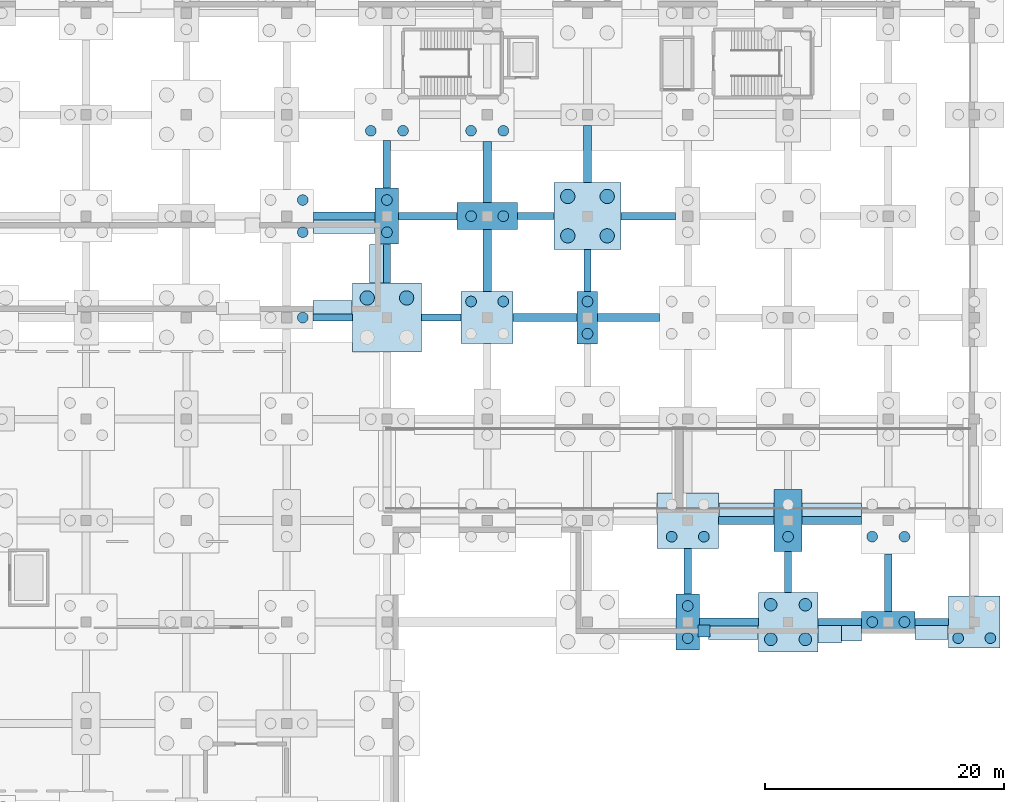
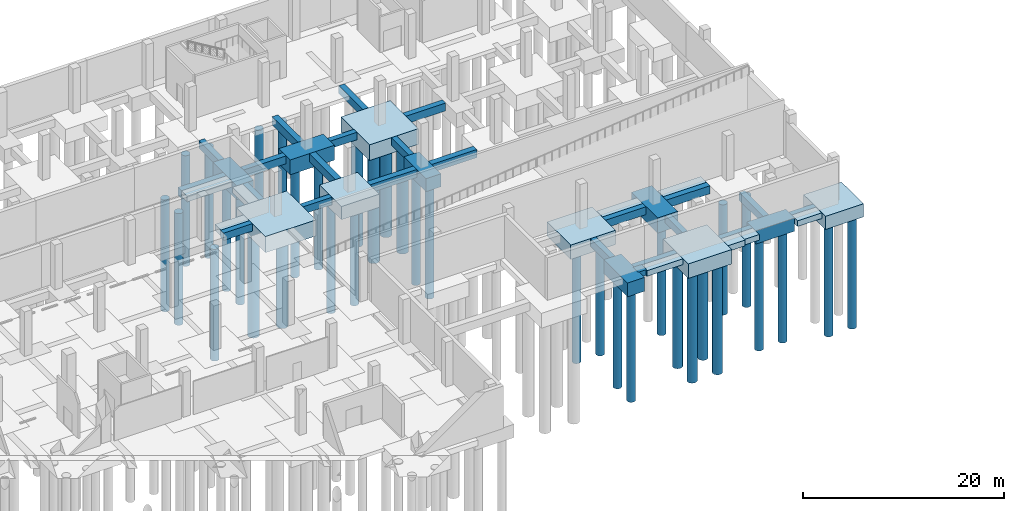
# One storey, part 18 of 34: 44 footings, 36 piles.
"""IFC4 building model written with IfcOpenShell, lengths in metres."""

from ifc_helpers import new_model, si_unit, direction, frame, origin, origin_2d, place, context, subcontext, project, spatial, rectangle, circle, extrude, material, material_profile, profile_set, type_object, element, save


model = new_model("IFC4")

# Units and contexts
model_context = context("Model", 3, precision=1e-05, world=origin(), true_north=direction((0.0, 1.0)))
body_context = subcontext(model_context, "Body", "Model", "MODEL_VIEW")
ifc_project = project(units=[si_unit("LENGTHUNIT", "METRE"), si_unit("AREAUNIT", "SQUARE_METRE"), si_unit("VOLUMEUNIT", "CUBIC_METRE"), si_unit("PLANEANGLEUNIT", "RADIAN"), si_unit("MASSUNIT", "GRAM", prefix="KILO")], contexts=[model_context])

# Site, building, storey
site_placement = place(None, origin())
site = spatial("IfcSite", under=ifc_project, at=site_placement, CompositionType="ELEMENT")
building_placement = place(site_placement, origin())
building = spatial("IfcBuilding", under=site, at=building_placement, Name="Solvento Point Concert Hall", CompositionType="ELEMENT")
storey_placement = place(building_placement, frame((0.0, 0.0, -5.39990234375)))
storey = spatial("IfcBuildingStorey", under=building, at=storey_placement, Name="B01", CompositionType="ELEMENT", Elevation=-5.39990234375)

# Piles
ifc_material_1 = material(Name="Concrete C40/50", Category="concrete")
ifc_material_profile_1 = material_profile(ifc_material_1, circle(Radius=0.52490234375, at=origin_2d()), Name="BP-1050")
ifc_profile_set_1 = profile_set([ifc_material_profile_1], Name="Concrete C40/50")
pile_type_1 = type_object("IfcPileType", Name="BoredPile_1050", PredefinedType="BORED", material=ifc_profile_set_1)
for number, where, z_axis, x_axis, name in (
    (1, (198.949951171875, 83.550048828125, -1.66015625), (0.0, 0.0, -1.0), (1.0, 0.0, 0.0), "Bored pile BoredPile_1050 #739"),
    (2, (201.85009765625, 83.550048828125, -1.66015625), (0.0, 0.0, -1.0), (1.0, 0.0, 0.0), "Bored pile BoredPile_1050 #740"),
    (3, (198.949951171875, 86.449951171875, -1.66015625), (0.0, 0.0, -1.0), (1.0, 0.0, 0.0), "Bored pile BoredPile_1050 #741"),
    (4, (201.85009765625, 86.449951171875, -1.66015625), (0.0, 0.0, -1.0), (1.0, 0.0, 0.0), "Bored pile BoredPile_1050 #742"),
):
    element("IfcPile", number, at=place(storey_placement, frame(where, z_axis=z_axis, x_axis=x_axis)), inside=storey, type_object=pile_type_1, Name=name, PredefinedType="BORED", context=body_context, shape_type="SweptSolid", body=[
        extrude(circle(Radius=0.52490234375, at=origin_2d()), origin(), (0.0, 0.0, 1.0), 13.43994140625),
    ])
ifc_material_2 = material(Name="Concrete C40/50", Category="concrete")
ifc_material_profile_2 = material_profile(ifc_material_2, circle(Radius=0.60009765625, at=origin_2d()), Name="BP-1200")
ifc_profile_set_2 = profile_set([ifc_material_profile_2], Name="Concrete C40/50")
pile_type_2 = type_object("IfcPileType", Name="BoredPile_1200", PredefinedType="BORED", material=ifc_profile_set_2)
for number, where, z_axis, x_axis, name in (
    (5, (165.14990234375, 112.14990234375, -1.85009765625), (0.0, 0.0, -1.0), (1.0, 0.0, 0.0), "Bored pile BoredPile_1200 #621"),
    (6, (168.449951171875, 112.14990234375, -1.85009765625), (0.0, 0.0, -1.0), (1.0, 0.0, 0.0), "Bored pile BoredPile_1200 #622"),
):
    element("IfcPile", number, at=place(storey_placement, frame(where, z_axis=z_axis, x_axis=x_axis)), inside=storey, type_object=pile_type_2, Name=name, PredefinedType="BORED", context=body_context, shape_type="SweptSolid", body=[
        extrude(circle(Radius=0.60009765625, at=origin_2d()), origin(), (0.0, 0.0, 1.0), 13.25),
    ])
for number, where, z_axis, x_axis, name in (
    (7, (181.949951171875, 117.35009765625, -1.800048828125), (0.0, 0.0, -1.0), (1.0, 0.0, 0.0), "Bored pile BoredPile_1200 #685"),
    (8, (185.25, 117.35009765625, -1.800048828125), (0.0, 0.0, -1.0), (1.0, 0.0, 0.0), "Bored pile BoredPile_1200 #686"),
    (9, (181.949951171875, 120.64990234375, -1.800048828125), (0.0, 0.0, -1.0), (1.0, 0.0, 0.0), "Bored pile BoredPile_1200 #687"),
    (10, (185.25, 120.64990234375, -1.800048828125), (0.0, 0.0, -1.0), (1.0, 0.0, 0.0), "Bored pile BoredPile_1200 #688"),
):
    element("IfcPile", number, at=place(storey_placement, frame(where, z_axis=z_axis, x_axis=x_axis)), inside=storey, type_object=pile_type_2, Name=name, PredefinedType="BORED", context=body_context, shape_type="SweptSolid", body=[
        extrude(circle(Radius=0.60009765625, at=origin_2d()), origin(), (0.0, 0.0, 1.0), 13.300048828125),
    ])
ifc_material_3 = material(Name="Concrete C40/50", Category="concrete")
ifc_material_profile_3 = material_profile(ifc_material_3, circle(Radius=0.449951171875, at=origin_2d()), Name="BP-900")
ifc_profile_set_3 = profile_set([ifc_material_profile_3], Name="Concrete C40/50")
pile_type_3 = type_object("IfcPileType", Name="BoredPile_900", PredefinedType="BORED", material=ifc_profile_set_3)
pile_1_placement = place(storey_placement, frame((159.75, 110.5, -1.5400390625), z_axis=(0.0, 0.0, -1.0), x_axis=(1.0, 0.0, 0.0)))
element("IfcPile", 11, at=pile_1_placement, inside=storey, type_object=pile_type_3, Name="Bored pile BoredPile_900 #582", PredefinedType="BORED", context=body_context, shape_type="SweptSolid", body=[
    extrude(circle(Radius=0.449951171875, at=origin_2d()), origin(), (0.0, 0.0, 1.0), 13.56005859375),
])
for number, where, z_axis, x_axis, name in (
    (12, (159.75, 117.64990234375, -1.550048828125), (0.0, 0.0, -1.0), (1.0, 0.0, 0.0), "Bored pile BoredPile_900 #584"),
    (13, (159.75, 120.35009765625, -1.550048828125), (0.0, 0.0, -1.0), (1.0, 0.0, 0.0), "Bored pile BoredPile_900 #586"),
):
    element("IfcPile", number, at=place(storey_placement, frame(where, z_axis=z_axis, x_axis=x_axis)), inside=storey, type_object=pile_type_3, Name=name, PredefinedType="BORED", context=body_context, shape_type="SweptSolid", body=[
        extrude(circle(Radius=0.449951171875, at=origin_2d()), origin(), (0.0, 0.0, 1.0), 13.550048828125),
    ])
for number, where, z_axis, x_axis, name in (
    (14, (166.800048828125, 117.64990234375, -1.580078125), (0.0, 0.0, -1.0), (1.0, 0.0, 0.0), "Bored pile BoredPile_900 #623"),
    (15, (166.800048828125, 120.35009765625, -1.580078125), (0.0, 0.0, -1.0), (1.0, 0.0, 0.0), "Bored pile BoredPile_900 #624"),
):
    element("IfcPile", number, at=place(storey_placement, frame(where, z_axis=z_axis, x_axis=x_axis)), inside=storey, type_object=pile_type_3, Name=name, PredefinedType="BORED", context=body_context, shape_type="SweptSolid", body=[
        extrude(circle(Radius=0.449951171875, at=origin_2d()), origin(), (0.0, 0.0, 1.0), 13.52001953125),
    ])
for number, where, z_axis, x_axis, name in (
    (16, (165.449951171875, 126.14990234375, -1.68017578125), (0.0, 0.0, -1.0), (1.0, 0.0, 0.0), "Bored pile BoredPile_900 #625"),
    (17, (168.14990234375, 126.14990234375, -1.68017578125), (0.0, 0.0, -1.0), (1.0, 0.0, 0.0), "Bored pile BoredPile_900 #626"),
):
    element("IfcPile", number, at=place(storey_placement, frame(where, z_axis=z_axis, x_axis=x_axis)), inside=storey, type_object=pile_type_3, Name=name, PredefinedType="BORED", context=body_context, shape_type="SweptSolid", body=[
        extrude(circle(Radius=0.449951171875, at=origin_2d()), origin(), (0.0, 0.0, 1.0), 13.419921875),
    ])
for number, where, z_axis, x_axis, name in (
    (18, (173.85009765625, 111.85009765625, -1.5), (0.0, 0.0, -1.0), (1.0, 0.0, 0.0), "Bored pile BoredPile_900 #651"),
    (19, (176.550048828125, 111.85009765625, -1.5), (0.0, 0.0, -1.0), (1.0, 0.0, 0.0), "Bored pile BoredPile_900 #652"),
):
    element("IfcPile", number, at=place(storey_placement, frame(where, z_axis=z_axis, x_axis=x_axis)), inside=storey, type_object=pile_type_3, Name=name, PredefinedType="BORED", context=body_context, shape_type="SweptSolid", body=[
        extrude(circle(Radius=0.449951171875, at=origin_2d()), origin(), (0.0, 0.0, 1.0), 13.60009765625),
    ])
for number, where, z_axis, x_axis, name in (
    (20, (173.85009765625, 119.0, -1.7001953125), (0.0, 0.0, -1.0), (1.0, 0.0, 0.0), "Bored pile BoredPile_900 #653"),
    (21, (176.550048828125, 119.0, -1.7001953125), (0.0, 0.0, -1.0), (1.0, 0.0, 0.0), "Bored pile BoredPile_900 #654"),
):
    element("IfcPile", number, at=place(storey_placement, frame(where, z_axis=z_axis, x_axis=x_axis)), inside=storey, type_object=pile_type_3, Name=name, PredefinedType="BORED", context=body_context, shape_type="SweptSolid", body=[
        extrude(circle(Radius=0.449951171875, at=origin_2d()), origin(), (0.0, 0.0, 1.0), 13.39990234375),
    ])
for number, where, z_axis, x_axis, name in (
    (22, (173.85009765625, 126.14990234375, -1.550048828125), (0.0, 0.0, -1.0), (1.0, 0.0, 0.0), "Bored pile BoredPile_900 #655"),
    (23, (176.550048828125, 126.14990234375, -1.550048828125), (0.0, 0.0, -1.0), (1.0, 0.0, 0.0), "Bored pile BoredPile_900 #656"),
):
    element("IfcPile", number, at=place(storey_placement, frame(where, z_axis=z_axis, x_axis=x_axis)), inside=storey, type_object=pile_type_3, Name=name, PredefinedType="BORED", context=body_context, shape_type="SweptSolid", body=[
        extrude(circle(Radius=0.449951171875, at=origin_2d()), origin(), (0.0, 0.0, 1.0), 13.550048828125),
    ])
for number, where, z_axis, x_axis, name in (
    (24, (183.60009765625, 109.14990234375, -1.47998046875), (0.0, 0.0, -1.0), (1.0, 0.0, 0.0), "Bored pile BoredPile_900 #683"),
    (25, (183.60009765625, 111.85009765625, -1.47998046875), (0.0, 0.0, -1.0), (1.0, 0.0, 0.0), "Bored pile BoredPile_900 #684"),
):
    element("IfcPile", number, at=place(storey_placement, frame(where, z_axis=z_axis, x_axis=x_axis)), inside=storey, type_object=pile_type_3, Name=name, PredefinedType="BORED", context=body_context, shape_type="SweptSolid", body=[
        extrude(circle(Radius=0.449951171875, at=origin_2d()), origin(), (0.0, 0.0, 1.0), 13.6201171875),
    ])
for number, where, z_axis, x_axis, name in (
    (26, (192.0, 83.64990234375, -1.580078125), (0.0, 0.0, -1.0), (1.0, 0.0, 0.0), "Bored pile BoredPile_900 #707"),
    (27, (192.0, 86.35009765625, -1.580078125), (0.0, 0.0, -1.0), (1.0, 0.0, 0.0), "Bored pile BoredPile_900 #708"),
):
    element("IfcPile", number, at=place(storey_placement, frame(where, z_axis=z_axis, x_axis=x_axis)), inside=storey, type_object=pile_type_3, Name=name, PredefinedType="BORED", context=body_context, shape_type="SweptSolid", body=[
        extrude(circle(Radius=0.449951171875, at=origin_2d()), origin(), (0.0, 0.0, 1.0), 13.52001953125),
    ])
for number, where, z_axis, x_axis, name in (
    (28, (190.64990234375, 92.14990234375, -1.64013671875), (0.0, 0.0, -1.0), (1.0, 0.0, 0.0), "Bored pile BoredPile_900 #709"),
    (29, (193.35009765625, 92.14990234375, -1.64013671875), (0.0, 0.0, -1.0), (1.0, 0.0, 0.0), "Bored pile BoredPile_900 #710"),
):
    element("IfcPile", number, at=place(storey_placement, frame(where, z_axis=z_axis, x_axis=x_axis)), inside=storey, type_object=pile_type_3, Name=name, PredefinedType="BORED", context=body_context, shape_type="SweptSolid", body=[
        extrude(circle(Radius=0.449951171875, at=origin_2d()), origin(), (0.0, 0.0, 1.0), 13.4599609375),
    ])
pile_2_placement = place(storey_placement, frame((200.39990234375, 92.14990234375, -1.739990234375), z_axis=(0.0, 0.0, -1.0), x_axis=(1.0, 0.0, 0.0)))
element("IfcPile", 30, at=pile_2_placement, inside=storey, type_object=pile_type_3, Name="Bored pile BoredPile_900 #743", PredefinedType="BORED", context=body_context, shape_type="SweptSolid", body=[
    extrude(circle(Radius=0.449951171875, at=origin_2d()), origin(), (0.0, 0.0, 1.0), 13.360107421875),
])
for number, where, z_axis, x_axis, name in (
    (31, (207.449951171875, 85.0, -1.5), (0.0, 0.0, -1.0), (1.0, 0.0, 0.0), "Bored pile BoredPile_900 #773"),
    (32, (210.14990234375, 85.0, -1.5), (0.0, 0.0, -1.0), (1.0, 0.0, 0.0), "Bored pile BoredPile_900 #774"),
):
    element("IfcPile", number, at=place(storey_placement, frame(where, z_axis=z_axis, x_axis=x_axis)), inside=storey, type_object=pile_type_3, Name=name, PredefinedType="BORED", context=body_context, shape_type="SweptSolid", body=[
        extrude(circle(Radius=0.449951171875, at=origin_2d()), origin(), (0.0, 0.0, 1.0), 13.60009765625),
    ])
for number, where, z_axis, x_axis, name in (
    (33, (207.449951171875, 92.14990234375, -1.72021484375), (0.0, 0.0, -1.0), (1.0, 0.0, 0.0), "Bored pile BoredPile_900 #775"),
    (34, (210.14990234375, 92.14990234375, -1.72021484375), (0.0, 0.0, -1.0), (1.0, 0.0, 0.0), "Bored pile BoredPile_900 #776"),
):
    element("IfcPile", number, at=place(storey_placement, frame(where, z_axis=z_axis, x_axis=x_axis)), inside=storey, type_object=pile_type_3, Name=name, PredefinedType="BORED", context=body_context, shape_type="SweptSolid", body=[
        extrude(circle(Radius=0.449951171875, at=origin_2d()), origin(), (0.0, 0.0, 1.0), 13.3798828125),
    ])
for number, where, z_axis, x_axis, name in (
    (35, (214.64990234375, 83.64990234375, -1.5), (0.0, 0.0, -1.0), (1.0, 0.0, 0.0), "Bored pile BoredPile_900 #793"),
    (36, (217.35009765625, 83.64990234375, -1.5), (0.0, 0.0, -1.0), (1.0, 0.0, 0.0), "Bored pile BoredPile_900 #794"),
):
    element("IfcPile", number, at=place(storey_placement, frame(where, z_axis=z_axis, x_axis=x_axis)), inside=storey, type_object=pile_type_3, Name=name, PredefinedType="BORED", context=body_context, shape_type="SweptSolid", body=[
        extrude(circle(Radius=0.449951171875, at=origin_2d()), origin(), (0.0, 0.0, 1.0), 13.60009765625),
    ])

# Footings
ifc_material_4 = material(Name="Concrete C40/50", Category="concrete")
footing_type_1 = type_object("IfcFootingType", Name="PileCap_2B", PredefinedType="PILE_CAP", material=ifc_material_4)
footing_1_placement = place(storey_placement, frame((183.60009765625, 110.5, -1.580078125), z_axis=(0.0, 0.0, 1.0), x_axis=(1.0, 0.0, 0.0)))
element("IfcFooting", 37, at=footing_1_placement, inside=storey, type_object=footing_type_1, Name="Pile cap PC-2B at G-23-P", PredefinedType="PILE_CAP", context=body_context, shape_type="SweptSolid", body=[
    extrude(rectangle(XDim=1.719970703125, YDim=4.3798828125, at=origin_2d()), origin(), (0.0, 0.0, 1.0), 1.580078125),
])
ifc_material_5 = material(Name="Concrete C40/50", Category="concrete")
footing_type_2 = type_object("IfcFootingType", Name="PileCap_2C", PredefinedType="PILE_CAP", material=ifc_material_5)
footing_2_placement = place(storey_placement, frame((208.800048828125, 85.0, -1.60009765625), z_axis=(0.0, 0.0, 1.0), x_axis=(1.0, 0.0, 0.0)))
element("IfcFooting", 38, at=footing_2_placement, inside=storey, type_object=footing_type_2, Name="Pile cap PC-2C at G-26-L", PredefinedType="PILE_CAP", context=body_context, shape_type="SweptSolid", body=[
    extrude(rectangle(XDim=4.4599609375, YDim=1.780029296875, at=origin_2d()), origin(), (0.0, 0.0, 1.0), 1.60009765625),
])
ifc_material_6 = material(Name="Concrete C40/50", Category="concrete")
footing_type_3 = type_object("IfcFootingType", Name="PileCap_2F", PredefinedType="PILE_CAP", material=ifc_material_6)
for number, where, z_axis, x_axis, name in (
    (39, (166.800048828125, 119.0, -1.68017578125), (0.0, 0.0, 1.0), (1.0, 0.0, 0.0), "Pile cap PC-2F at G-21-Q"),
    (40, (192.0, 85.0, -1.68017578125), (0.0, 0.0, 1.0), (1.0, 0.0, 0.0), "Pile cap PC-2F at G-24-L"),
):
    element("IfcFooting", number, at=place(storey_placement, frame(where, z_axis=z_axis, x_axis=x_axis)), inside=storey, type_object=footing_type_3, Name=name, PredefinedType="PILE_CAP", context=body_context, shape_type="SweptSolid", body=[
        extrude(rectangle(XDim=1.9599609375, YDim=4.699951171875, at=origin_2d()), origin(), (0.0, 0.0, 1.0), 1.679931640625),
    ])
ifc_material_7 = material(Name="Concrete C40/50", Category="concrete")
footing_type_4 = type_object("IfcFootingType", Name="PileCap_2L", PredefinedType="PILE_CAP", material=ifc_material_7)
footing_3_placement = place(storey_placement, frame((175.199951171875, 119.0, -1.80029296875), z_axis=(0.0, 0.0, 1.0), x_axis=(1.0, 0.0, 0.0)))
element("IfcFooting", 41, at=footing_3_placement, inside=storey, type_object=footing_type_4, Name="Pile cap PC-2L at G-22-Q", PredefinedType="PILE_CAP", context=body_context, shape_type="SweptSolid", body=[
    extrude(rectangle(XDim=5.10009765625, YDim=2.260009765625, at=origin_2d()), origin(), (0.0, 0.0, 1.0), 1.800048828125),
])
ifc_material_8 = material(Name="Concrete C40/50", Category="concrete")
footing_type_5 = type_object("IfcFootingType", Name="PileCap_2M", PredefinedType="PILE_CAP", material=ifc_material_8)
footing_4_placement = place(storey_placement, frame((200.39990234375, 93.5, -1.84033203125), z_axis=(0.0, 0.0, 1.0), x_axis=(1.0, 0.0, 0.0)))
element("IfcFooting", 42, at=footing_4_placement, inside=storey, type_object=footing_type_5, Name="Pile cap PC-2M at G-25-M", PredefinedType="PILE_CAP", context=body_context, shape_type="SweptSolid", body=[
    extrude(rectangle(XDim=2.320068359375, YDim=5.179931640625, at=origin_2d()), origin(), (0.0, 0.0, 1.0), 1.840087890625),
])
ifc_material_9 = material(Name="Concrete C40/50", Category="concrete")
footing_type_6 = type_object("IfcFootingType", Name="PileCap_4A", PredefinedType="PILE_CAP", material=ifc_material_9)
for number, where, z_axis, x_axis, name in (
    (43, (175.199951171875, 110.5, -1.60009765625), (0.0, 0.0, 1.0), (1.0, 0.0, 0.0), "Pile cap PC-4A at G-22-P"),
    (44, (216.0, 85.0, -1.60009765625), (0.0, 0.0, 1.0), (1.0, 0.0, 0.0), "Pile cap PC-4A at G-27-L"),
):
    element("IfcFooting", number, at=place(storey_placement, frame(where, z_axis=z_axis, x_axis=x_axis)), inside=storey, type_object=footing_type_6, Name=name, PredefinedType="PILE_CAP", context=body_context, shape_type="SweptSolid", body=[
        extrude(rectangle(XDim=4.35009765625, YDim=4.35009765625, at=origin_2d()), origin(), (0.0, 0.0, 1.0), 1.60009765625),
    ])
ifc_material_10 = material(Name="Concrete C40/50", Category="concrete")
footing_type_7 = type_object("IfcFootingType", Name="PileCap_4D", PredefinedType="PILE_CAP", material=ifc_material_10)
footing_5_placement = place(storey_placement, frame((200.39990234375, 85.0, -1.76025390625), z_axis=(0.0, 0.0, 1.0), x_axis=(1.0, 0.0, 0.0)))
element("IfcFooting", 45, at=footing_5_placement, inside=storey, type_object=footing_type_7, Name="Pile cap PC-4D at G-25-L", PredefinedType="PILE_CAP", context=body_context, shape_type="SweptSolid", body=[
    extrude(rectangle(XDim=4.97998046875, YDim=4.97998046875, at=origin_2d()), origin(), (0.0, 0.0, 1.0), 1.760009765625),
])
ifc_material_11 = material(Name="Concrete C40/50", Category="concrete")
footing_type_8 = type_object("IfcFootingType", Name="PileCap_4G", PredefinedType="PILE_CAP", material=ifc_material_11)
footing_6_placement = place(storey_placement, frame((183.60009765625, 119.0, -1.900146484375), z_axis=(0.0, 0.0, 1.0), x_axis=(1.0, 0.0, 0.0)))
element("IfcFooting", 46, at=footing_6_placement, inside=storey, type_object=footing_type_8, Name="Pile cap PC-4G at G-23-Q", PredefinedType="PILE_CAP", context=body_context, shape_type="SweptSolid", body=[
    extrude(rectangle(XDim=5.6201171875, YDim=5.6201171875, at=origin_2d()), origin(), (0.0, 0.0, 1.0), 1.89990234375),
])
ifc_material_12 = material(Name="Concrete C40/50", Category="concrete")
footing_type_9 = type_object("IfcFootingType", Name="PileCap_4H", PredefinedType="PILE_CAP", material=ifc_material_12)
footing_7_placement = place(storey_placement, frame((166.800048828125, 110.5, -1.9501953125), z_axis=(0.0, 0.0, 1.0), x_axis=(1.0, 0.0, 0.0)))
element("IfcFooting", 47, at=footing_7_placement, inside=storey, type_object=footing_type_9, Name="Pile cap PC-4H at G-21-P", PredefinedType="PILE_CAP", context=body_context, shape_type="SweptSolid", body=[
    extrude(rectangle(XDim=5.800048828125, YDim=5.800048828125, at=origin_2d()), origin(), (0.0, 0.0, 1.0), 1.949951171875),
])
ifc_material_13 = material(Name="Concrete C40/50", Category="concrete")
footing_type_10 = type_object("IfcFootingType", Name="PileCap_4L", PredefinedType="PILE_CAP", material=ifc_material_13)
footing_8_placement = place(storey_placement, frame((192.0, 93.5, -1.740234375), z_axis=(0.0, 0.0, 1.0), x_axis=(1.0, 0.0, 0.0)))
element("IfcFooting", 48, at=footing_8_placement, inside=storey, type_object=footing_type_10, Name="Pile cap PC-4L at G-24-M", PredefinedType="PILE_CAP", context=body_context, shape_type="SweptSolid", body=[
    extrude(rectangle(XDim=5.159912109375, YDim=4.659912109375, at=origin_2d()), origin(), (0.0, 0.0, 1.0), 1.739990234375),
])
ifc_material_14 = material(Name="Concrete C40/50", Category="concrete")
footing_type_11 = type_object("IfcFootingType", Name="StripFooting_1400x700", PredefinedType="STRIP_FOOTING", material=ifc_material_14)
footing_9_placement = place(storey_placement, frame((196.909912109375, 94.2900390625, -0.7001953125), z_axis=(0.0, 0.0, 1.0), x_axis=(1.0, 0.0, 0.0)))
element("IfcFooting", 49, at=footing_9_placement, inside=storey, type_object=footing_type_11, Name="Strip footing SF-02", PredefinedType="STRIP_FOOTING", context=body_context, shape_type="SweptSolid", body=[
    extrude(rectangle(XDim=4.6201171875, YDim=1.39990234375, at=origin_2d()), origin(), (0.0, 0.0, 1.0), 0.699951171875),
])
footing_10_placement = place(storey_placement, frame((204.06005859375, 94.2900390625, -0.7001953125), z_axis=(0.0, 0.0, 1.0), x_axis=(1.0, 0.0, 0.0)))
element("IfcFooting", 50, at=footing_10_placement, inside=storey, type_object=footing_type_11, Name="Strip footing SF-02", PredefinedType="STRIP_FOOTING", context=body_context, shape_type="SweptSolid", body=[
    extrude(rectangle(XDim=4.9599609375, YDim=1.39990234375, at=origin_2d()), origin(), (0.0, 0.0, 1.0), 0.699951171875),
])
footing_11_placement = place(storey_placement, frame((162.25, 111.2548828125, -0.7001953125), z_axis=(0.0, 0.0, 1.0), x_axis=(1.0, 0.0, 0.0)))
element("IfcFooting", 51, at=footing_11_placement, inside=storey, type_object=footing_type_11, Name="Strip footing SF-02", PredefinedType="STRIP_FOOTING", context=body_context, shape_type="SweptSolid", body=[
    extrude(rectangle(XDim=3.280029296875, YDim=1.39990234375, at=origin_2d()), origin(), (0.0, 0.0, 1.0), 0.699951171875),
])
footing_12_placement = place(storey_placement, frame((166.044921875, 115.02490234375, -0.7001953125), z_axis=(0.0, 0.0, 1.0), x_axis=(0.0, 1.0, 0.0)))
element("IfcFooting", 52, at=footing_12_placement, inside=storey, type_object=footing_type_11, Name="Strip footing SF-02", PredefinedType="STRIP_FOOTING", context=body_context, shape_type="SweptSolid", body=[
    extrude(rectangle(XDim=3.22998046875, YDim=1.39990234375, at=origin_2d()), origin(), (0.0, 0.0, 1.0), 0.699951171875),
])
footing_13_placement = place(storey_placement, frame((163.235107421875, 118.2451171875, -0.7001953125), z_axis=(0.0, 0.0, 1.0), x_axis=(-1.0, 0.0, 0.0)))
element("IfcFooting", 53, at=footing_13_placement, inside=storey, type_object=footing_type_11, Name="Strip footing SF-02", PredefinedType="STRIP_FOOTING", context=body_context, shape_type="SweptSolid", body=[
    extrude(rectangle(XDim=5.14990234375, YDim=1.39990234375, at=origin_2d()), origin(), (0.0, 0.0, 1.0), 0.699951171875),
])
footing_14_placement = place(storey_placement, frame((212.427490234375, 84.2451171875, -0.7001953125), z_axis=(0.0, 0.0, 1.0), x_axis=(-1.0, 0.0, 0.0)))
element("IfcFooting", 54, at=footing_14_placement, inside=storey, type_object=footing_type_11, Name="Strip footing SF-02", PredefinedType="STRIP_FOOTING", context=body_context, shape_type="SweptSolid", body=[
    extrude(rectangle(XDim=2.77490234375, YDim=1.39990234375, at=origin_2d()), origin(), (0.0, 0.0, 1.0), 0.699951171875),
])
footing_15_placement = place(storey_placement, frame((205.716796875, 84.2451171875, -0.7001953125), z_axis=(0.0, 0.0, 1.0), x_axis=(-1.0, 0.0, 0.0)))
element("IfcFooting", 55, at=footing_15_placement, inside=storey, type_object=footing_type_11, Name="Strip footing SF-02", PredefinedType="STRIP_FOOTING", context=body_context, shape_type="SweptSolid", body=[
    extrude(rectangle(XDim=1.686767578125, YDim=1.686767578125, at=origin_2d()), origin(), (0.0, 0.0, 1.0), 0.699951171875),
])
footing_16_placement = place(storey_placement, frame((203.881591796875, 84.2451171875, -0.7001953125), z_axis=(0.0, 0.0, 1.0), x_axis=(-1.0, 0.0, 0.0)))
element("IfcFooting", 56, at=footing_16_placement, inside=storey, type_object=footing_type_11, Name="Strip footing SF-02", PredefinedType="STRIP_FOOTING", context=body_context, shape_type="SweptSolid", body=[
    extrude(rectangle(XDim=1.96337890625, YDim=1.96337890625, at=origin_2d()), origin(), (0.0, 0.0, 1.0), 0.699951171875),
])
footing_17_placement = place(storey_placement, frame((195.823486328125, 84.2451171875, -0.7001953125), z_axis=(0.0, 0.0, 1.0), x_axis=(-1.0, 0.0, 0.0)))
element("IfcFooting", 57, at=footing_17_placement, inside=storey, type_object=footing_type_11, Name="Strip footing SF-02", PredefinedType="STRIP_FOOTING", context=body_context, shape_type="SweptSolid", body=[
    extrude(rectangle(XDim=4.1533203125, YDim=1.39990234375, at=origin_2d()), origin(), (0.0, 0.0, 1.0), 0.699951171875),
])
footing_18_placement = place(storey_placement, frame((193.36328125, 84.2451171875, -0.7001953125), z_axis=(0.0, 0.0, 1.0), x_axis=(-1.0, 0.0, 0.0)))
element("IfcFooting", 58, at=footing_18_placement, inside=storey, type_object=footing_type_11, Name="Strip footing SF-02", PredefinedType="STRIP_FOOTING", context=body_context, shape_type="SweptSolid", body=[
    extrude(rectangle(XDim=1.0, YDim=1.0, at=origin_2d()), origin(), (0.0, 0.0, 1.0), 0.699951171875),
])
ifc_material_15 = material(Name="Concrete C40/50", Category="concrete")
footing_type_12 = type_object("IfcFootingType", Name="TieBeam_600x900", PredefinedType="FOOTING_BEAM", material=ifc_material_15)
footing_19_placement = place(storey_placement, frame((212.427490234375, 85.0, -0.900146484375), z_axis=(0.0, 0.0, 1.0), x_axis=(1.0, 0.0, 0.0)))
element("IfcFooting", 59, at=footing_19_placement, inside=storey, type_object=footing_type_12, Name="Seismic tie beam GB-01", PredefinedType="FOOTING_BEAM", context=body_context, shape_type="SweptSolid", body=[
    extrude(rectangle(XDim=2.794921875, YDim=0.60009765625, at=origin_2d()), origin(), (0.0, 0.0, 1.0), 0.89990234375),
])
footing_20_placement = place(storey_placement, frame((162.25, 110.5, -0.900146484375), z_axis=(0.0, 0.0, 1.0), x_axis=(1.0, 0.0, 0.0)))
element("IfcFooting", 60, at=footing_20_placement, inside=storey, type_object=footing_type_12, Name="Seismic tie beam GB-01", PredefinedType="FOOTING_BEAM", context=body_context, shape_type="SweptSolid", body=[
    extrude(rectangle(XDim=3.300048828125, YDim=0.60009765625, at=origin_2d()), origin(), (0.0, 0.0, 1.0), 0.89990234375),
])
footing_21_placement = place(storey_placement, frame((171.362548828125, 110.5, -0.900146484375), z_axis=(0.0, 0.0, 1.0), x_axis=(1.0, 0.0, 0.0)))
element("IfcFooting", 61, at=footing_21_placement, inside=storey, type_object=footing_type_12, Name="Seismic tie beam GB-01", PredefinedType="FOOTING_BEAM", context=body_context, shape_type="SweptSolid", body=[
    extrude(rectangle(XDim=3.324951171875, YDim=0.60009765625, at=origin_2d()), origin(), (0.0, 0.0, 1.0), 0.89990234375),
])
footing_22_placement = place(storey_placement, frame((179.27001953125, 119.0, -0.900146484375), z_axis=(0.0, 0.0, 1.0), x_axis=(1.0, 0.0, 0.0)))
element("IfcFooting", 62, at=footing_22_placement, inside=storey, type_object=footing_type_12, Name="Seismic tie beam GB-01", PredefinedType="FOOTING_BEAM", context=body_context, shape_type="SweptSolid", body=[
    extrude(rectangle(XDim=3.0400390625, YDim=0.60009765625, at=origin_2d()), origin(), (0.0, 0.0, 1.0), 0.89990234375),
])
footing_23_placement = place(storey_placement, frame((166.800048828125, 115.02490234375, -0.900146484375), z_axis=(0.0, 0.0, 1.0), x_axis=(0.0, 1.0, 0.0)))
element("IfcFooting", 63, at=footing_23_placement, inside=storey, type_object=footing_type_12, Name="Seismic tie beam GB-01", PredefinedType="FOOTING_BEAM", context=body_context, shape_type="SweptSolid", body=[
    extrude(rectangle(XDim=3.25, YDim=0.60009765625, at=origin_2d()), origin(), (0.0, 0.0, 1.0), 0.89990234375),
])
footing_24_placement = place(storey_placement, frame((183.60009765625, 114.43994140625, -0.900146484375), z_axis=(0.0, 0.0, 1.0), x_axis=(0.0, 1.0, 0.0)))
element("IfcFooting", 64, at=footing_24_placement, inside=storey, type_object=footing_type_12, Name="Seismic tie beam GB-01", PredefinedType="FOOTING_BEAM", context=body_context, shape_type="SweptSolid", body=[
    extrude(rectangle(XDim=3.5, YDim=0.60009765625, at=origin_2d()), origin(), (0.0, 0.0, 1.0), 0.89990234375),
])
footing_25_placement = place(storey_placement, frame((200.39990234375, 89.199951171875, -0.900146484375), z_axis=(0.0, 0.0, 1.0), x_axis=(0.0, 1.0, 0.0)))
element("IfcFooting", 65, at=footing_25_placement, inside=storey, type_object=footing_type_12, Name="Seismic tie beam GB-01", PredefinedType="FOOTING_BEAM", context=body_context, shape_type="SweptSolid", body=[
    extrude(rectangle(XDim=3.419921875, YDim=0.60009765625, at=origin_2d()), origin(), (0.0, 0.0, 1.0), 0.89990234375),
])
ifc_material_16 = material(Name="Concrete C40/50", Category="concrete")
footing_type_13 = type_object("IfcFootingType", Name="TieBeam_620x920", PredefinedType="FOOTING_BEAM", material=ifc_material_16)
footing_26_placement = place(storey_placement, frame((204.72998046875, 85.0, -0.920166015625), z_axis=(0.0, 0.0, 1.0), x_axis=(1.0, 0.0, 0.0)))
element("IfcFooting", 66, at=footing_26_placement, inside=storey, type_object=footing_type_13, Name="Seismic tie beam GB-02", PredefinedType="FOOTING_BEAM", context=body_context, shape_type="SweptSolid", body=[
    extrude(rectangle(XDim=3.679931640625, YDim=0.6201171875, at=origin_2d()), origin(), (0.0, 0.0, 1.0), 0.919921875),
])
footing_27_placement = place(storey_placement, frame((166.800048828125, 123.3349609375, -0.920166015625), z_axis=(0.0, 0.0, 1.0), x_axis=(0.0, 1.0, 0.0)))
element("IfcFooting", 67, at=footing_27_placement, inside=storey, type_object=footing_type_13, Name="Seismic tie beam GB-02", PredefinedType="FOOTING_BEAM", context=body_context, shape_type="SweptSolid", body=[
    extrude(rectangle(XDim=3.969970703125, YDim=0.6201171875, at=origin_2d()), origin(), (0.0, 0.0, 1.0), 0.919921875),
])
footing_28_placement = place(storey_placement, frame((192.0, 89.260009765625, -0.920166015625), z_axis=(0.0, 0.0, 1.0), x_axis=(0.0, 1.0, 0.0)))
element("IfcFooting", 68, at=footing_28_placement, inside=storey, type_object=footing_type_13, Name="Seismic tie beam GB-02", PredefinedType="FOOTING_BEAM", context=body_context, shape_type="SweptSolid", body=[
    extrude(rectangle(XDim=3.820068359375, YDim=0.6201171875, at=origin_2d()), origin(), (0.0, 0.0, 1.0), 0.919921875),
])
ifc_material_17 = material(Name="Concrete C40/50", Category="concrete")
footing_type_14 = type_object("IfcFootingType", Name="TieBeam_650x950", PredefinedType="FOOTING_BEAM", material=ifc_material_17)
footing_29_placement = place(storey_placement, frame((195.445068359375, 85.0, -0.9501953125), z_axis=(0.0, 0.0, 1.0), x_axis=(1.0, 0.0, 0.0)))
element("IfcFooting", 69, at=footing_29_placement, inside=storey, type_object=footing_type_14, Name="Seismic tie beam GB-03", PredefinedType="FOOTING_BEAM", context=body_context, shape_type="SweptSolid", body=[
    extrude(rectangle(XDim=4.929931640625, YDim=0.64990234375, at=origin_2d()), origin(), (0.0, 0.0, 1.0), 0.949951171875),
])
footing_30_placement = place(storey_placement, frame((196.909912109375, 93.5, -0.9501953125), z_axis=(0.0, 0.0, 1.0), x_axis=(1.0, 0.0, 0.0)))
element("IfcFooting", 70, at=footing_30_placement, inside=storey, type_object=footing_type_14, Name="Seismic tie beam GB-03", PredefinedType="FOOTING_BEAM", context=body_context, shape_type="SweptSolid", body=[
    extrude(rectangle(XDim=4.659912109375, YDim=0.64990234375, at=origin_2d()), origin(), (0.0, 0.0, 1.0), 0.949951171875),
])
footing_31_placement = place(storey_placement, frame((170.215087890625, 119.0, -0.9501953125), z_axis=(0.0, 0.0, 1.0), x_axis=(1.0, 0.0, 0.0)))
element("IfcFooting", 71, at=footing_31_placement, inside=storey, type_object=footing_type_14, Name="Seismic tie beam GB-03", PredefinedType="FOOTING_BEAM", context=body_context, shape_type="SweptSolid", body=[
    extrude(rectangle(XDim=4.8701171875, YDim=0.64990234375, at=origin_2d()), origin(), (0.0, 0.0, 1.0), 0.949951171875),
])
footing_32_placement = place(storey_placement, frame((188.68505859375, 119.0, -0.9501953125), z_axis=(0.0, 0.0, 1.0), x_axis=(1.0, 0.0, 0.0)))
element("IfcFooting", 72, at=footing_32_placement, inside=storey, type_object=footing_type_14, Name="Seismic tie beam GB-03", PredefinedType="FOOTING_BEAM", context=body_context, shape_type="SweptSolid", body=[
    extrude(rectangle(XDim=4.550048828125, YDim=0.64990234375, at=origin_2d()), origin(), (0.0, 0.0, 1.0), 0.949951171875),
])
footing_33_placement = place(storey_placement, frame((183.60009765625, 124.2099609375, -0.9501953125), z_axis=(0.0, 0.0, 1.0), x_axis=(0.0, 1.0, 0.0)))
element("IfcFooting", 73, at=footing_33_placement, inside=storey, type_object=footing_type_14, Name="Seismic tie beam GB-03", PredefinedType="FOOTING_BEAM", context=body_context, shape_type="SweptSolid", body=[
    extrude(rectangle(XDim=4.800048828125, YDim=0.64990234375, at=origin_2d()), origin(), (0.0, 0.0, 1.0), 0.949951171875),
])
footing_34_placement = place(storey_placement, frame((208.800048828125, 88.294921875, -0.9501953125), z_axis=(0.0, 0.0, 1.0), x_axis=(0.0, 1.0, 0.0)))
element("IfcFooting", 74, at=footing_34_placement, inside=storey, type_object=footing_type_14, Name="Seismic tie beam GB-03", PredefinedType="FOOTING_BEAM", context=body_context, shape_type="SweptSolid", body=[
    extrude(rectangle(XDim=4.81005859375, YDim=0.64990234375, at=origin_2d()), origin(), (0.0, 0.0, 1.0), 0.949951171875),
])
ifc_material_18 = material(Name="Concrete C40/50", Category="concrete")
footing_type_15 = type_object("IfcFootingType", Name="TieBeam_680x980", PredefinedType="FOOTING_BEAM", material=ifc_material_18)
footing_35_placement = place(storey_placement, frame((204.06005859375, 93.5, -0.97998046875), z_axis=(0.0, 0.0, 1.0), x_axis=(1.0, 0.0, 0.0)))
element("IfcFooting", 75, at=footing_35_placement, inside=storey, type_object=footing_type_15, Name="Seismic tie beam GB-04", PredefinedType="FOOTING_BEAM", context=body_context, shape_type="SweptSolid", body=[
    extrude(rectangle(XDim=5.0, YDim=0.679931640625, at=origin_2d()), origin(), (0.0, 0.0, 1.0), 0.97998046875),
])
footing_36_placement = place(storey_placement, frame((180.0576171875, 110.5, -0.97998046875), z_axis=(0.0, 0.0, 1.0), x_axis=(1.0, 0.0, 0.0)))
element("IfcFooting", 76, at=footing_36_placement, inside=storey, type_object=footing_type_15, Name="Seismic tie beam GB-04", PredefinedType="FOOTING_BEAM", context=body_context, shape_type="SweptSolid", body=[
    extrude(rectangle(XDim=5.364990234375, YDim=0.679931640625, at=origin_2d()), origin(), (0.0, 0.0, 1.0), 0.97998046875),
])
for number, where, z_axis, x_axis, name in (
    (77, (187.044921875, 110.5, -0.97998046875), (0.0, 0.0, 1.0), (1.0, 0.0, 0.0), "Seismic tie beam GB-04"),
    (78, (163.235107421875, 119.0, -0.97998046875), (0.0, 0.0, 1.0), (1.0, 0.0, 0.0), "Seismic tie beam GB-04"),
):
    element("IfcFooting", number, at=place(storey_placement, frame(where, z_axis=z_axis, x_axis=x_axis)), inside=storey, type_object=footing_type_15, Name=name, PredefinedType="FOOTING_BEAM", context=body_context, shape_type="SweptSolid", body=[
        extrude(rectangle(XDim=5.169921875, YDim=0.679931640625, at=origin_2d()), origin(), (0.0, 0.0, 1.0), 0.97998046875),
    ])
footing_37_placement = place(storey_placement, frame((175.199951171875, 115.2724609375, -0.97998046875), z_axis=(0.0, 0.0, 1.0), x_axis=(0.0, 1.0, 0.0)))
element("IfcFooting", 79, at=footing_37_placement, inside=storey, type_object=footing_type_15, Name="Seismic tie beam GB-04", PredefinedType="FOOTING_BEAM", context=body_context, shape_type="SweptSolid", body=[
    extrude(rectangle(XDim=5.195068359375, YDim=0.679931640625, at=origin_2d()), origin(), (0.0, 0.0, 1.0), 0.97998046875),
])
footing_38_placement = place(storey_placement, frame((175.199951171875, 122.68994140625, -0.97998046875), z_axis=(0.0, 0.0, 1.0), x_axis=(0.0, 1.0, 0.0)))
element("IfcFooting", 80, at=footing_38_placement, inside=storey, type_object=footing_type_15, Name="Seismic tie beam GB-04", PredefinedType="FOOTING_BEAM", context=body_context, shape_type="SweptSolid", body=[
    extrude(rectangle(XDim=5.1201171875, YDim=0.679931640625, at=origin_2d()), origin(), (0.0, 0.0, 1.0), 0.97998046875),
])

save(model, "model.ifc")
